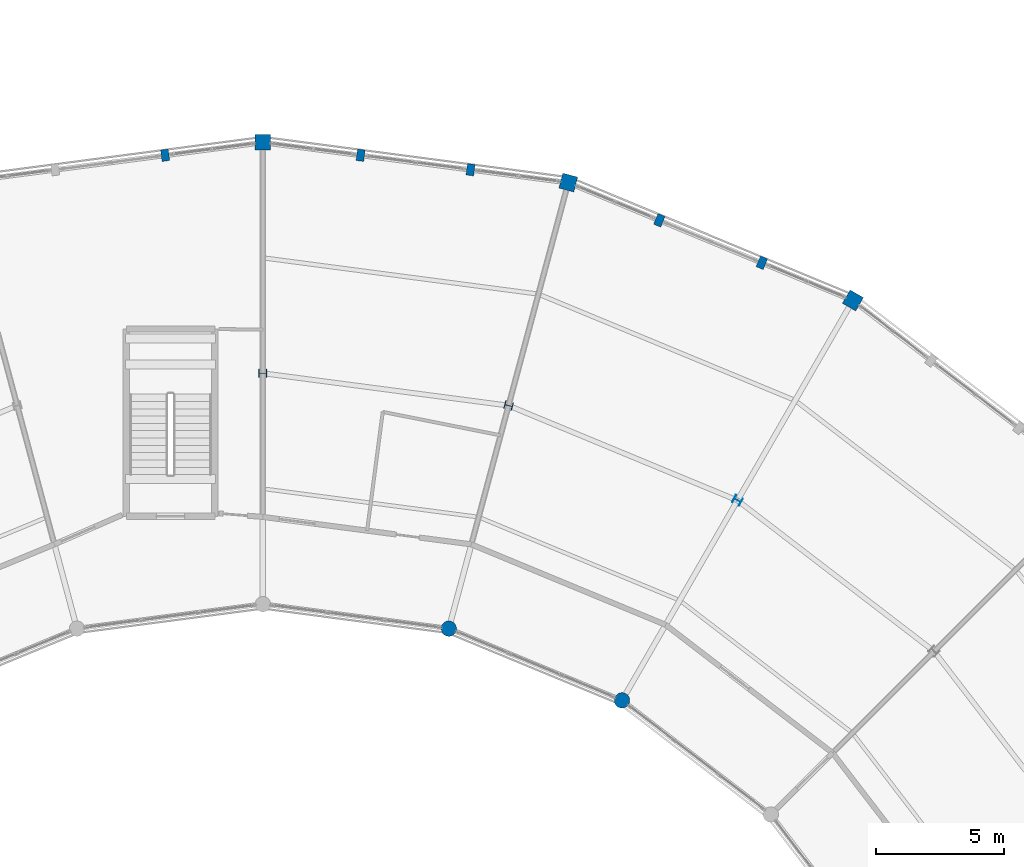
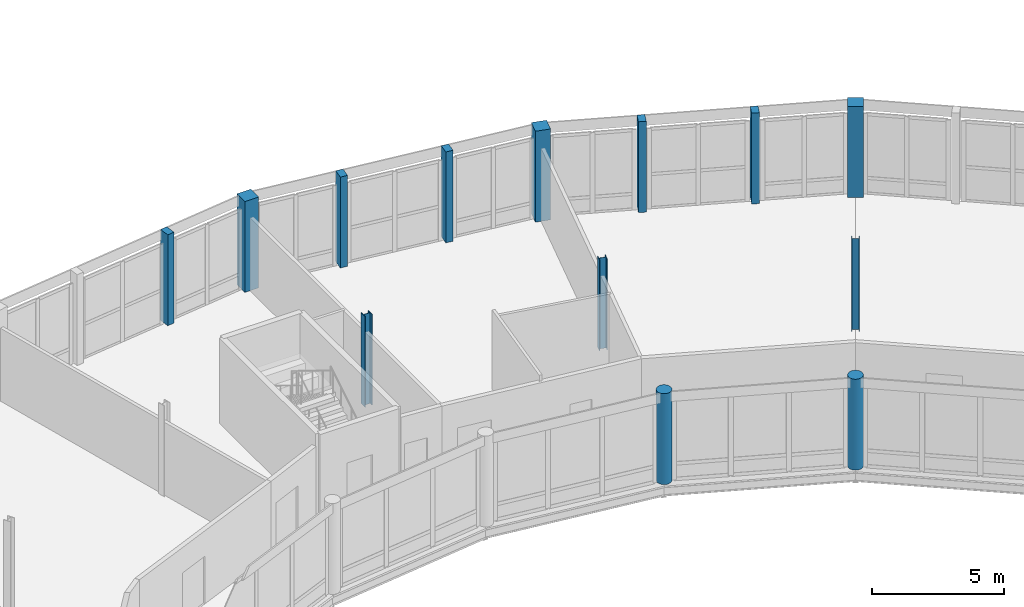
# One storey, part 13 of 170: 13 columns.
"""IFC4 building model written with IfcOpenShell, lengths in metres."""

from ifc_helpers import new_model, si_unit, direction, frame, origin, origin_2d, place, context, subcontext, project, spatial, rectangle, circle, i_section, extrude, material, material_profile, profile_set, type_object, element, save


model = new_model("IFC4")

# Units and contexts
model_context = context("Model", 3, precision=1e-05, world=origin(), true_north=direction((0.0, 1.0)))
body_context = subcontext(model_context, "Body", "Model", "MODEL_VIEW")
ifc_project = project(units=[si_unit("LENGTHUNIT", "METRE"), si_unit("AREAUNIT", "SQUARE_METRE"), si_unit("VOLUMEUNIT", "CUBIC_METRE"), si_unit("PLANEANGLEUNIT", "RADIAN"), si_unit("MASSUNIT", "GRAM", prefix="KILO")], contexts=[model_context])

# Site, building, storey
site_placement = place(None, origin())
site = spatial("IfcSite", under=ifc_project, at=site_placement, CompositionType="ELEMENT")
building_placement = place(site_placement, origin())
building = spatial("IfcBuilding", under=site, at=building_placement, Name="Vondelvale Polytechnic", CompositionType="ELEMENT")
storey_placement = place(building_placement, frame((0.0, 0.0, 5.39990234375)))
storey = spatial("IfcBuildingStorey", under=building, at=storey_placement, Name="L01", CompositionType="ELEMENT", Elevation=5.39990234375)

# Columns
ifc_material_1 = material(Name="Glulam GL18 structural Tasmanian oak (fb = 42 MPa)", Category="wood")
ifc_material_profile_1 = material_profile(ifc_material_1, rectangle(XDim=0.300048828125, YDim=0.449951171875, at=origin_2d()), Name="GL-POST-300x450")
ifc_profile_set_1 = profile_set([ifc_material_profile_1], Name="Glulam GL18 structural Tasmanian oak (fb = 42 MPa)")
column_type_1 = type_object("IfcColumnType", Name="COL-GLULAM-300x450", PredefinedType="PILASTER", material=ifc_profile_set_1)
for number, where, z_axis, x_axis, name in (
    (1, (121.44970703125, 113.3076171875, 0.0), (0.0, 0.0, 1.0), (-0.923879532511, 0.382683432365, 0.0), "L01 ring outer glulam timber post C04-P1"),
    (2, (117.455810546875, 114.962158203125, 0.0), (0.0, 0.0, 1.0), (-0.923879532511, 0.382683432365, 0.0), "L01 ring outer glulam timber post C04-P2"),
    (3, (110.095947265625, 116.93408203125, 0.0), (0.0, 0.0, 1.0), (-0.991444861374, 0.13052619222, 0.0), "L01 ring outer glulam timber post C05-P1"),
    (4, (105.809814453125, 117.498291015625, 0.0), (0.0, 0.0, 1.0), (-0.991444861374, 0.13052619222, 0.0), "L01 ring outer glulam timber post C05-P2"),
    (5, (98.190185546875, 117.498291015625, 0.0), (0.0, 0.0, 1.0), (0.991444861374, 0.13052619222, 0.0), "L01 ring outer glulam timber post C06-P1"),
):
    element("IfcColumn", number, at=place(storey_placement, frame(where, z_axis=z_axis, x_axis=x_axis)), inside=storey, type_object=column_type_1, Name=name, PredefinedType="PILASTER", context=body_context, shape_type="SweptSolid", body=[
        extrude(rectangle(XDim=0.300048828125, YDim=0.449951171875, at=origin_2d()), origin(), (0.0, 0.0, 1.0), 4.2001953125),
    ])
ifc_material_2 = material(Name="Concrete N50 (f'c = 50 MPa)", Category="concrete")
ifc_material_profile_2 = material_profile(ifc_material_2, rectangle(XDim=0.60009765625, YDim=0.60009765625, at=origin_2d()), Name="RC-COL-600x600")
ifc_profile_set_2 = profile_set([ifc_material_profile_2], Name="Concrete N50 (f'c = 50 MPa)")
column_type_2 = type_object("IfcColumnType", Name="COL-RC600", PredefinedType="COLUMN", material=ifc_profile_set_2)
for number, where, z_axis, x_axis, name in (
    (6, (125.0, 111.837158203125, 0.0), (0.0, 0.0, 1.0), (0.5, 0.866025403784, 0.0), "L01 courtyard ring column S04-RO"),
    (7, (113.90576171875, 116.4326171875, 0.0), (0.0, 0.0, 1.0), (0.258819045103, 0.965925826289, 0.0), "L01 courtyard ring column S05-RO"),
    (8, (102.0, 118.0, 0.0), (0.0, 0.0, 1.0), (0.0, 1.0, 0.0), "L01 courtyard ring column S06-RO"),
):
    element("IfcColumn", number, at=place(storey_placement, frame(where, z_axis=z_axis, x_axis=x_axis)), inside=storey, type_object=column_type_2, Name=name, PredefinedType="COLUMN", context=body_context, shape_type="SweptSolid", body=[
        extrude(rectangle(XDim=0.60009765625, YDim=0.60009765625, at=origin_2d()), origin(), (0.0, 0.0, 1.0), 4.2001953125),
    ])
ifc_material_profile_3 = material_profile(ifc_material_2, circle(Radius=0.300048828125, at=origin_2d()), Name="RC-COL-D600")
ifc_profile_set_3 = profile_set([ifc_material_profile_3], Name="Concrete N50 (f'c = 50 MPa)")
column_type_3 = type_object("IfcColumnType", Name="COL-RCD600", PredefinedType="COLUMN", material=ifc_profile_set_3)
for number, where, z_axis, x_axis, name in (
    (9, (116.0, 96.248779296875, 0.0), (0.0, 0.0, 1.0), (0.5, 0.866025403784, 0.0), "L01 courtyard ring column S04-RI"),
    (10, (109.246826171875, 99.0458984375, 0.0), (0.0, 0.0, 1.0), (0.258819045103, 0.965925826289, 0.0), "L01 courtyard ring column S05-RI"),
):
    element("IfcColumn", number, at=place(storey_placement, frame(where, z_axis=z_axis, x_axis=x_axis)), inside=storey, type_object=column_type_3, Name=name, PredefinedType="COLUMN", context=body_context, shape_type="SweptSolid", body=[
        extrude(circle(Radius=0.300048828125, at=origin_2d()), origin(), (0.0, 0.0, 1.0), 4.2001953125),
    ])
ifc_material_3 = material(Name="Steel 300PLUS (fy = 300 MPa)", Category="steel")
ifc_material_profile_4 = material_profile(ifc_material_3, i_section(OverallWidth=0.306884765625, OverallDepth=0.31494140625, WebThickness=0.011962890625, FlangeThickness=0.018798828125, FilletRadius=0.0166015625, at=origin_2d()), Name="310UC118")
ifc_profile_set_4 = profile_set([ifc_material_profile_4], Name="Steel 300PLUS (fy = 300 MPa)")
column_type_4 = type_object("IfcColumnType", Name="COL-UC310", PredefinedType="COLUMN", material=ifc_profile_set_4)
for number, where, z_axis, x_axis, name in (
    (11, (120.5, 104.04296875, 0.0), (0.0, 0.0, 1.0), (0.5, 0.866025403784, 0.0), "L01 courtyard ring column S04-RM"),
    (12, (111.576416015625, 107.7392578125, 0.0), (0.0, 0.0, 1.0), (0.258819045103, 0.965925826289, 0.0), "L01 courtyard ring column S05-RM"),
    (13, (102.0, 109.0, 0.0), (0.0, 0.0, 1.0), (0.0, 1.0, 0.0), "L01 courtyard ring column S06-RM"),
):
    element("IfcColumn", number, at=place(storey_placement, frame(where, z_axis=z_axis, x_axis=x_axis)), inside=storey, type_object=column_type_4, Name=name, PredefinedType="COLUMN", context=body_context, shape_type="SweptSolid", body=[
        extrude(i_section(OverallWidth=0.306884765625, OverallDepth=0.31494140625, WebThickness=0.011962890625, FlangeThickness=0.018798828125, FilletRadius=0.0166015625, at=origin_2d()), origin(), (0.0, 0.0, 1.0), 4.2001953125),
    ])

save(model, "model.ifc")
